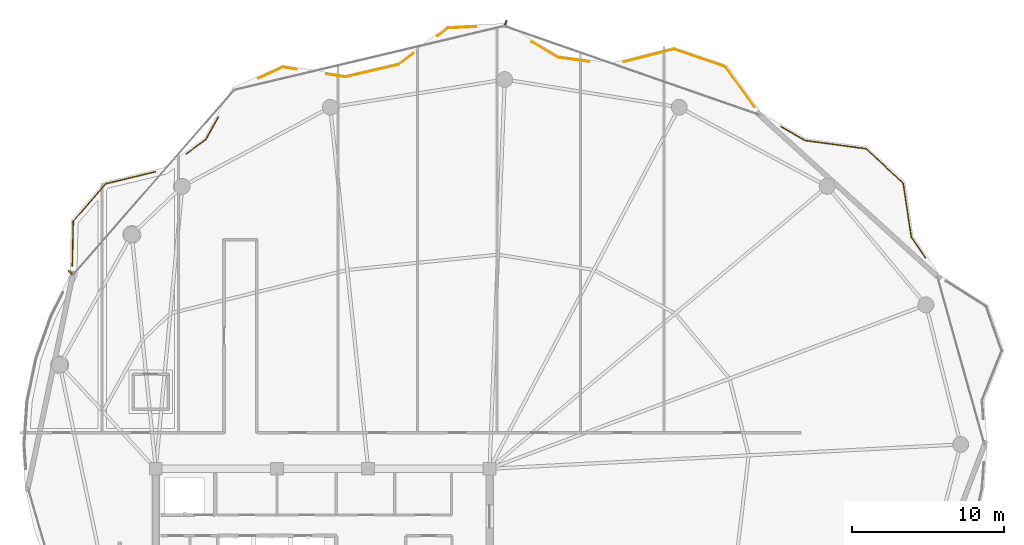
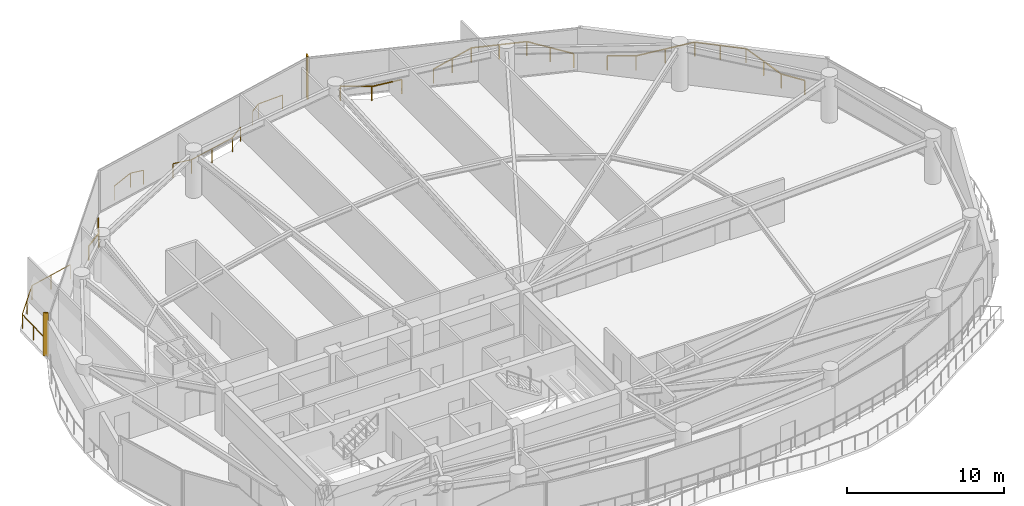
# One storey, part 29 of 29: 8 railings, 2 shading devices.
"""IFC4 building model written with IfcOpenShell, lengths in metres."""

from ifc_helpers import new_model, si_unit, direction, frame, origin, origin_2d, place, context, subcontext, project, spatial, rectangle, extrude, material, type_object, element, save


model = new_model("IFC4")

# Units and contexts
model_context = context("Model", 3, precision=1e-05, world=origin(), true_north=direction((0.0, 1.0)))
body_context = subcontext(model_context, "Body", "Model", "MODEL_VIEW")
ifc_project = project(units=[si_unit("LENGTHUNIT", "METRE"), si_unit("AREAUNIT", "SQUARE_METRE"), si_unit("VOLUMEUNIT", "CUBIC_METRE"), si_unit("PLANEANGLEUNIT", "RADIAN"), si_unit("MASSUNIT", "GRAM", prefix="KILO")], contexts=[model_context])

# Site, building, storey
site_placement = place(None, origin())
site = spatial("IfcSite", under=ifc_project, at=site_placement, CompositionType="ELEMENT")
building_placement = place(site_placement, origin())
building = spatial("IfcBuilding", under=site, at=building_placement, Name="Kazevale Care Tower and Concert Hall", CompositionType="ELEMENT")
storey_placement = place(building_placement, frame((0.0, 0.0, 213.60009765625)))
storey = spatial("IfcBuildingStorey", under=building, at=storey_placement, Name="L56", CompositionType="ELEMENT", Elevation=213.60009765625)

# Railings
ifc_material_1 = material(Name="Anodised Bronze Aluminium and Laminated Glass", Category="aluminium")
railing_type = type_object("IfcRailingType", Name="Balcony and Terrace Balustrade 1120", PredefinedType="BALUSTRADE", material=ifc_material_1)
railing_1_placement = place(storey_placement, frame((16.5009765625, 49.77392578125, 0.0)))
element("IfcRailing", 1, at=railing_1_placement, inside=storey, type_object=railing_type, Name="rail:L56:perim:2", PredefinedType="BALUSTRADE", context=body_context, shape_type="SweptSolid", body=[
    extrude(rectangle(XDim=0.048095703125, YDim=0.048095703125, at=origin_2d()), frame((0.0, 0.0, 1.09619140625), z_axis=(0.020776893953, 0.99978413704, 0.0), x_axis=(-0.99978413704, 0.020776893953, 0.0)), (0.0, 0.0, 1.0), 2.937744140625),
    extrude(rectangle(XDim=0.048095703125, YDim=0.048095703125, at=origin_2d()), frame((0.06103515625, 2.93701171875, 1.09619140625), z_axis=(0.653442230106, 0.75697638795, 0.0), x_axis=(-0.75697638795, 0.653442230106, 0.0)), (0.0, 0.0, 1.0), 3.256591796875),
    extrude(rectangle(XDim=0.048095703125, YDim=0.048095703125, at=origin_2d()), frame((2.18896484375, 5.402099609375, 1.09619140625), z_axis=(0.972048614054, 0.234779666741, 0.0), x_axis=(-0.234779666741, 0.972048614054, 0.0)), (0.0, 0.0, 1.0), 3.373291015625),
    extrude(rectangle(XDim=0.0419921875, YDim=0.0419921875, at=origin_2d()), origin(), (0.0, 0.0, 1.0), 1.072021484375),
    extrude(rectangle(XDim=0.0419921875, YDim=0.0419921875, at=origin_2d()), frame((0.030517578125, 1.468505859375, 0.0)), (0.0, 0.0, 1.0), 1.072021484375),
    extrude(rectangle(XDim=0.0419921875, YDim=0.0419921875, at=origin_2d()), frame((0.06103515625, 2.93701171875, 0.0)), (0.0, 0.0, 1.0), 1.072021484375),
    extrude(rectangle(XDim=0.0419921875, YDim=0.0419921875, at=origin_2d()), frame((1.125, 4.16943359375, 0.0)), (0.0, 0.0, 1.0), 1.072021484375),
    extrude(rectangle(XDim=0.0419921875, YDim=0.0419921875, at=origin_2d()), frame((2.18896484375, 5.402099609375, 0.0)), (0.0, 0.0, 1.0), 1.072021484375),
    extrude(rectangle(XDim=0.0419921875, YDim=0.0419921875, at=origin_2d()), frame((3.82861328125, 5.798095703125, 0.0)), (0.0, 0.0, 1.0), 1.072021484375),
    extrude(rectangle(XDim=0.0419921875, YDim=0.0419921875, at=origin_2d()), frame((5.468017578125, 6.194091796875, 0.0)), (0.0, 0.0, 1.0), 1.072021484375),
])
railing_2_placement = place(storey_placement, frame((24.01708984375, 57.159912109375, 0.0)))
element("IfcRailing", 2, at=railing_2_placement, inside=storey, type_object=railing_type, Name="rail:L56:perim:3", PredefinedType="BALUSTRADE", context=body_context, shape_type="SweptSolid", body=[
    extrude(rectangle(XDim=0.048095703125, YDim=0.048095703125, at=origin_2d()), frame((0.0, 0.0, 1.09619140625), z_axis=(0.809493304449, 0.587129108504, 0.0), x_axis=(-0.587129108504, 0.809493304449, 0.0)), (0.0, 0.0, 1.0), 1.56005859375),
    extrude(rectangle(XDim=0.048095703125, YDim=0.048095703125, at=origin_2d()), frame((1.262939453125, 0.916015625, 1.09619140625), z_axis=(0.490315047546, 0.871545267987, 0.0), x_axis=(-0.871545267987, 0.490315047546, 0.0)), (0.0, 0.0, 1.0), 1.723388671875),
    extrude(rectangle(XDim=0.0419921875, YDim=0.0419921875, at=origin_2d()), origin(), (0.0, 0.0, 1.0), 1.072021484375),
    extrude(rectangle(XDim=0.0419921875, YDim=0.0419921875, at=origin_2d()), frame((1.262939453125, 0.916015625, 0.0)), (0.0, 0.0, 1.0), 1.072021484375),
    extrude(rectangle(XDim=0.0419921875, YDim=0.0419921875, at=origin_2d()), frame((2.10791015625, 2.41796875, 0.0)), (0.0, 0.0, 1.0), 1.072021484375),
])
railing_3_placement = place(storey_placement, frame((28.763916015625, 62.125, 0.0)))
element("IfcRailing", 3, at=railing_3_placement, inside=storey, type_object=railing_type, Name="rail:L56:perim:4", PredefinedType="BALUSTRADE", context=body_context, shape_type="SweptSolid", body=[
    extrude(rectangle(XDim=0.048095703125, YDim=0.048095703125, at=origin_2d()), frame((0.0, 0.0, 1.09619140625), z_axis=(0.91054113019, 0.413418492853, 0.0), x_axis=(-0.413418492853, 0.91054113019, 0.0)), (0.0, 0.0, 1.0), 1.7705078125),
    extrude(rectangle(XDim=0.048095703125, YDim=0.048095703125, at=origin_2d()), frame((1.612060546875, 0.73193359375, 1.09619140625), z_axis=(0.98790083214, -0.155086897758, 0.0), x_axis=(0.155086897758, 0.98790083214, 0.0)), (0.0, 0.0, 1.0), 0.902099609375),
    extrude(rectangle(XDim=0.0419921875, YDim=0.0419921875, at=origin_2d()), origin(), (0.0, 0.0, 1.0), 1.072021484375),
    extrude(rectangle(XDim=0.0419921875, YDim=0.0419921875, at=origin_2d()), frame((1.612060546875, 0.73193359375, 0.0)), (0.0, 0.0, 1.0), 1.072021484375),
    extrude(rectangle(XDim=0.0419921875, YDim=0.0419921875, at=origin_2d()), frame((2.503173828125, 0.592041015625, 0.0)), (0.0, 0.0, 1.0), 1.072021484375),
])
railing_4_placement = place(storey_placement, frame((33.2509765625, 62.406005859375, 0.0)))
element("IfcRailing", 4, at=railing_4_placement, inside=storey, type_object=railing_type, Name="rail:L56:perim:5", PredefinedType="BALUSTRADE", context=body_context, shape_type="SweptSolid", body=[
    extrude(rectangle(XDim=0.048095703125, YDim=0.048095703125, at=origin_2d()), frame((0.0, 0.0, 1.09619140625), z_axis=(0.987942088413, -0.154823867485, 0.0), x_axis=(0.154823867485, 0.987942088413, 0.0)), (0.0, 0.0, 1.0), 1.266357421875),
    extrude(rectangle(XDim=0.048095703125, YDim=0.048095703125, at=origin_2d()), frame((1.2509765625, -0.196044921875, 1.09619140625), z_axis=(0.973807958737, 0.227372072823, 0.0), x_axis=(-0.227372072823, 0.973807958737, 0.0)), (0.0, 0.0, 1.0), 3.57568359375),
    extrude(rectangle(XDim=0.048095703125, YDim=0.048095703125, at=origin_2d()), frame((4.73291015625, 0.616943359375, 1.09619140625), z_axis=(0.805798451747, 0.592189881003, 0.0), x_axis=(-0.592189881003, 0.805798451747, 0.0)), (0.0, 0.0, 1.0), 1.2548828125),
    extrude(rectangle(XDim=0.0419921875, YDim=0.0419921875, at=origin_2d()), origin(), (0.0, 0.0, 1.0), 1.072021484375),
    extrude(rectangle(XDim=0.0419921875, YDim=0.0419921875, at=origin_2d()), frame((1.2509765625, -0.196044921875, 0.0)), (0.0, 0.0, 1.0), 1.072021484375),
    extrude(rectangle(XDim=0.0419921875, YDim=0.0419921875, at=origin_2d()), frame((2.991943359375, 0.21044921875, 0.0)), (0.0, 0.0, 1.0), 1.072021484375),
    extrude(rectangle(XDim=0.0419921875, YDim=0.0419921875, at=origin_2d()), frame((4.73291015625, 0.616943359375, 0.0)), (0.0, 0.0, 1.0), 1.072021484375),
    extrude(rectangle(XDim=0.0419921875, YDim=0.0419921875, at=origin_2d()), frame((5.744140625, 1.360107421875, 0.0)), (0.0, 0.0, 1.0), 1.072021484375),
])
railing_5_placement = place(storey_placement, frame((40.56396484375, 64.9189453125, 0.0)))
element("IfcRailing", 5, at=railing_5_placement, inside=storey, type_object=railing_type, Name="rail:L56:perim:6", PredefinedType="BALUSTRADE", context=body_context, shape_type="SweptSolid", body=[
    extrude(rectangle(XDim=0.048095703125, YDim=0.048095703125, at=origin_2d()), frame((0.0, 0.0, 1.09619140625), z_axis=(0.805713579929, 0.592305349561, 0.0), x_axis=(-0.592305349561, 0.805713579929, 0.0)), (0.0, 0.0, 1.0), 0.876220703125),
    extrude(rectangle(XDim=0.048095703125, YDim=0.048095703125, at=origin_2d()), frame((0.7060546875, 0.51904296875, 1.09619140625), z_axis=(0.998940261438, 0.046025580694, 0.0), x_axis=(-0.046025580694, 0.998940261438, 0.0)), (0.0, 0.0, 1.0), 1.845947265625),
    extrude(rectangle(XDim=0.0419921875, YDim=0.0419921875, at=origin_2d()), origin(), (0.0, 0.0, 1.0), 1.072021484375),
    extrude(rectangle(XDim=0.0419921875, YDim=0.0419921875, at=origin_2d()), frame((0.7060546875, 0.51904296875, 0.0)), (0.0, 0.0, 1.0), 1.072021484375),
    extrude(rectangle(XDim=0.0419921875, YDim=0.0419921875, at=origin_2d()), frame((2.550048828125, 0.60400390625, 0.0)), (0.0, 0.0, 1.0), 1.072021484375),
])
railing_6_placement = place(storey_placement, frame((46.783935546875, 64.529052734375, 0.0)))
element("IfcRailing", 6, at=railing_6_placement, inside=storey, type_object=railing_type, Name="rail:L56:perim:7", PredefinedType="BALUSTRADE", context=body_context, shape_type="SweptSolid", body=[
    extrude(rectangle(XDim=0.048095703125, YDim=0.048095703125, at=origin_2d()), frame((0.0, 0.0, 1.09619140625), z_axis=(0.859958006391, -0.510364798202, 0.0), x_axis=(0.510364798202, 0.859958006391, 0.0)), (0.0, 0.0, 1.0), 2.010498046875),
    extrude(rectangle(XDim=0.048095703125, YDim=0.048095703125, at=origin_2d()), frame((1.72900390625, -1.026123046875, 1.09619140625), z_axis=(0.990617777662, -0.136661693898, 0.0), x_axis=(0.136661693898, 0.990617777662, 0.0)), (0.0, 0.0, 1.0), 2.0400390625),
    extrude(rectangle(XDim=0.0419921875, YDim=0.0419921875, at=origin_2d()), origin(), (0.0, 0.0, 1.0), 1.072021484375),
    extrude(rectangle(XDim=0.0419921875, YDim=0.0419921875, at=origin_2d()), frame((1.72900390625, -1.026123046875, 0.0)), (0.0, 0.0, 1.0), 1.072021484375),
    extrude(rectangle(XDim=0.0419921875, YDim=0.0419921875, at=origin_2d()), frame((3.75, -1.304931640625, 0.0)), (0.0, 0.0, 1.0), 1.072021484375),
])
railing_7_placement = place(storey_placement, frame((52.8779296875, 63.212890625, 0.0)))
element("IfcRailing", 7, at=railing_7_placement, inside=storey, type_object=railing_type, Name="rail:L56:perim:8", PredefinedType="BALUSTRADE", context=body_context, shape_type="SweptSolid", body=[
    extrude(rectangle(XDim=0.048095703125, YDim=0.048095703125, at=origin_2d()), frame((0.0, 0.0, 1.09619140625), z_axis=(0.968841143246, 0.24768294078, 0.0), x_axis=(-0.24768294078, 0.968841143246, 0.0)), (0.0, 0.0, 1.0), 3.3681640625),
    extrude(rectangle(XDim=0.048095703125, YDim=0.048095703125, at=origin_2d()), frame((3.26318359375, 0.834228515625, 1.09619140625), z_axis=(0.946598937376, -0.322413479492, 0.0), x_axis=(0.322413479492, 0.946598937376, 0.0)), (0.0, 0.0, 1.0), 3.607421875),
    extrude(rectangle(XDim=0.048095703125, YDim=0.048095703125, at=origin_2d()), frame((6.677978515625, -0.328857421875, 1.09619140625), z_axis=(0.584785546416, -0.811187934269, 0.0), x_axis=(0.811187934269, 0.584785546416, 0.0)), (0.0, 0.0, 1.0), 3.26318359375),
    extrude(rectangle(XDim=0.0419921875, YDim=0.0419921875, at=origin_2d()), origin(), (0.0, 0.0, 1.0), 1.072021484375),
    extrude(rectangle(XDim=0.0419921875, YDim=0.0419921875, at=origin_2d()), frame((1.631591796875, 0.4169921875, 0.0)), (0.0, 0.0, 1.0), 1.072021484375),
    extrude(rectangle(XDim=0.0419921875, YDim=0.0419921875, at=origin_2d()), frame((3.26318359375, 0.834228515625, 0.0)), (0.0, 0.0, 1.0), 1.072021484375),
    extrude(rectangle(XDim=0.0419921875, YDim=0.0419921875, at=origin_2d()), frame((4.970703125, 0.252685546875, 0.0)), (0.0, 0.0, 1.0), 1.072021484375),
    extrude(rectangle(XDim=0.0419921875, YDim=0.0419921875, at=origin_2d()), frame((6.677978515625, -0.328857421875, 0.0)), (0.0, 0.0, 1.0), 1.072021484375),
    extrude(rectangle(XDim=0.0419921875, YDim=0.0419921875, at=origin_2d()), frame((7.632080078125, -1.65234375, 0.0)), (0.0, 0.0, 1.0), 1.072021484375),
    extrude(rectangle(XDim=0.0419921875, YDim=0.0419921875, at=origin_2d()), frame((8.586181640625, -2.975830078125, 0.0)), (0.0, 0.0, 1.0), 1.072021484375),
])
railing_8_placement = place(storey_placement, frame((63.200927734375, 58.946044921875, 0.0)))
element("IfcRailing", 8, at=railing_8_placement, inside=storey, type_object=railing_type, Name="rail:L56:perim:9", PredefinedType="BALUSTRADE", context=body_context, shape_type="SweptSolid", body=[
    extrude(rectangle(XDim=0.048095703125, YDim=0.048095703125, at=origin_2d()), frame((0.0, 0.0, 1.09619140625), z_axis=(0.866524193864, -0.49913507335, 0.0), x_axis=(0.49913507335, 0.866524193864, 0.0)), (0.0, 0.0, 1.0), 1.823486328125),
    extrude(rectangle(XDim=0.048095703125, YDim=0.048095703125, at=origin_2d()), frame((1.580078125, -0.91015625, 1.09619140625), z_axis=(0.990877699691, -0.134764180164, 0.0), x_axis=(0.134764180164, 0.990877699691, 0.0)), (0.0, 0.0, 1.0), 4.05810546875),
    extrude(rectangle(XDim=0.048095703125, YDim=0.048095703125, at=origin_2d()), frame((5.60107421875, -1.45703125, 1.09619140625), z_axis=(0.73603461898, -0.676943896983, 0.0), x_axis=(0.676943896983, 0.73603461898, 0.0)), (0.0, 0.0, 1.0), 3.334228515625),
    extrude(rectangle(XDim=0.048095703125, YDim=0.048095703125, at=origin_2d()), frame((8.05517578125, -3.714111328125, 1.09619140625), z_axis=(0.148940997459, -0.988846084725, 0.0), x_axis=(0.988846084725, 0.148940997459, 0.0)), (0.0, 0.0, 1.0), 3.597900390625),
    extrude(rectangle(XDim=0.048095703125, YDim=0.048095703125, at=origin_2d()), frame((8.591064453125, -7.27197265625, 1.09619140625), z_axis=(0.562761257822, -0.826619481197, 0.0), x_axis=(0.826619481197, 0.562761257822, 0.0)), (0.0, 0.0, 1.0), 1.671875),
    extrude(rectangle(XDim=0.0419921875, YDim=0.0419921875, at=origin_2d()), origin(), (0.0, 0.0, 1.0), 1.072021484375),
    extrude(rectangle(XDim=0.0419921875, YDim=0.0419921875, at=origin_2d()), frame((1.580078125, -0.91015625, 0.0)), (0.0, 0.0, 1.0), 1.072021484375),
    extrude(rectangle(XDim=0.0419921875, YDim=0.0419921875, at=origin_2d()), frame((3.590576171875, -1.18359375, 0.0)), (0.0, 0.0, 1.0), 1.072021484375),
    extrude(rectangle(XDim=0.0419921875, YDim=0.0419921875, at=origin_2d()), frame((5.60107421875, -1.45703125, 0.0)), (0.0, 0.0, 1.0), 1.072021484375),
    extrude(rectangle(XDim=0.0419921875, YDim=0.0419921875, at=origin_2d()), frame((6.828125, -2.58544921875, 0.0)), (0.0, 0.0, 1.0), 1.072021484375),
    extrude(rectangle(XDim=0.0419921875, YDim=0.0419921875, at=origin_2d()), frame((8.05517578125, -3.714111328125, 0.0)), (0.0, 0.0, 1.0), 1.072021484375),
    extrude(rectangle(XDim=0.0419921875, YDim=0.0419921875, at=origin_2d()), frame((8.3232421875, -5.4931640625, 0.0)), (0.0, 0.0, 1.0), 1.072021484375),
    extrude(rectangle(XDim=0.0419921875, YDim=0.0419921875, at=origin_2d()), frame((8.591064453125, -7.27197265625, 0.0)), (0.0, 0.0, 1.0), 1.072021484375),
    extrude(rectangle(XDim=0.0419921875, YDim=0.0419921875, at=origin_2d()), frame((9.531982421875, -8.654052734375, 0.0)), (0.0, 0.0, 1.0), 1.072021484375),
])

# Shading devices
ifc_material_2 = material(Name="Anodised Bronze Aluminium", Category="aluminium")
shading_device_type = type_object("IfcShadingDeviceType", Name="Waist Anodised Bronze-Stone Fin FIN-02", PredefinedType="USERDEFINED", material=ifc_material_2)
for number, where, z_axis, x_axis, name in (
    (9, (16.361328125, 49.347412109375, 0.0), (0.0, 0.0, 1.0), (-0.753792813636, 0.657112162503, 0.0), "cw:L56:f14:fin"),
    (10, (45.075927734375, 65.796630859375, 0.0), (0.0, 0.0, 1.0), (0.328536977169, 0.944491108816, 0.0), "cw:L56:f16:fin"),
):
    element("IfcShadingDevice", number, at=place(storey_placement, frame(where, z_axis=z_axis, x_axis=x_axis)), inside=storey, type_object=shading_device_type, Name=name, ObjectType="FIN", PredefinedType="USERDEFINED", context=body_context, shape_type="SweptSolid", body=[
        extrude(rectangle(XDim=0.340087890625, YDim=0.10009765625, at=origin_2d()), origin(), (0.0, 0.0, 1.0), 3.360107421875),
    ])

save(model, "model.ifc")
